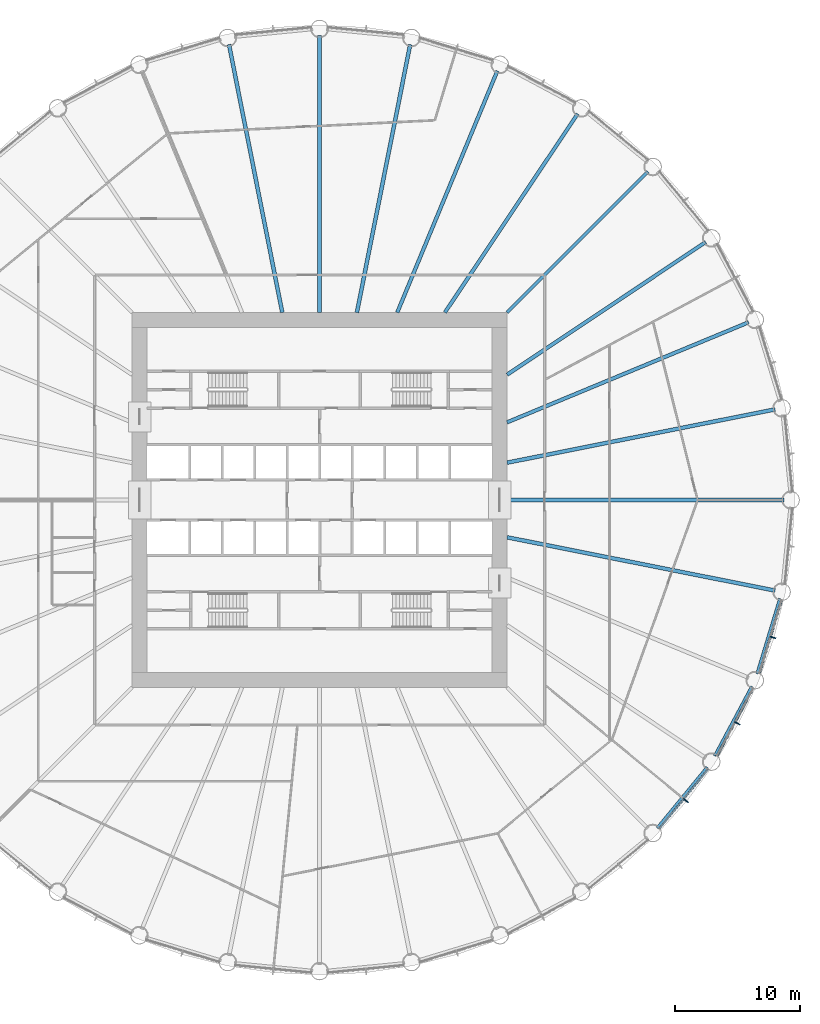
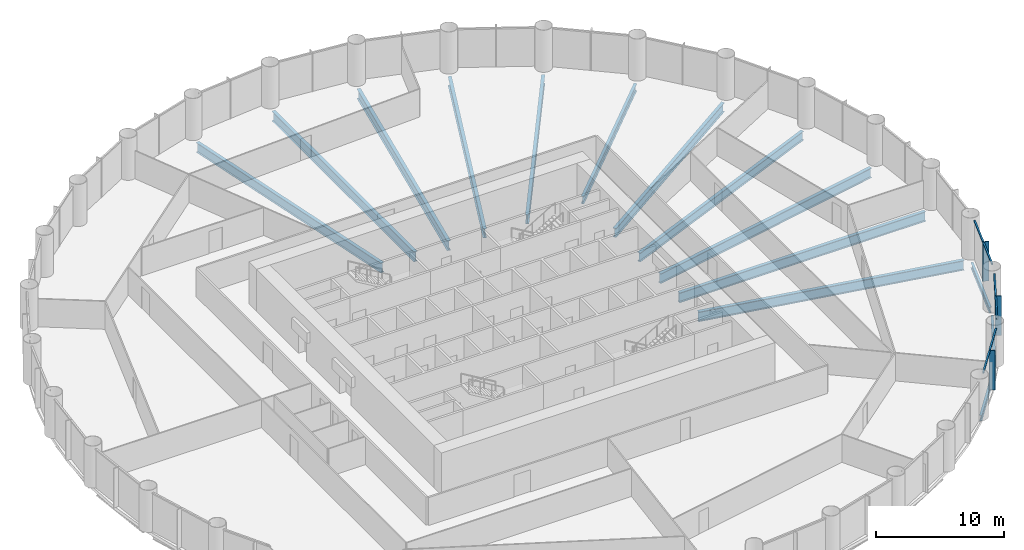
# One storey, part 5 of 14: 14 beams, 9 members, 3 elements without a shape of their own.
"""IFC4 building model written with IfcOpenShell, lengths in metres."""

from ifc_helpers import new_model, si_unit, direction, frame, origin, origin_2d, place, context, subcontext, project, spatial, rectangle, i_section, extrude, material, material_profile, profile_set, type_object, element, aggregate, save


model = new_model("IFC4")

# Units and contexts
model_context = context("Model", 3, precision=1e-05, world=origin(), true_north=direction((0.0, 1.0)))
body_context = subcontext(model_context, "Body", "Model", "MODEL_VIEW")
ifc_project = project(units=[si_unit("LENGTHUNIT", "METRE"), si_unit("AREAUNIT", "SQUARE_METRE"), si_unit("VOLUMEUNIT", "CUBIC_METRE"), si_unit("PLANEANGLEUNIT", "RADIAN"), si_unit("MASSUNIT", "GRAM", prefix="KILO")], contexts=[model_context])

# Site, building, storey
site_placement = place(None, origin())
site = spatial("IfcSite", under=ifc_project, at=site_placement, CompositionType="ELEMENT")
building_placement = place(site_placement, origin())
building = spatial("IfcBuilding", under=site, at=building_placement, Name="Corvane Civic Tower", CompositionType="ELEMENT")
storey_placement = place(building_placement, frame((0.0, 0.0, 81.0)))
storey = spatial("IfcBuildingStorey", under=building, at=storey_placement, Name="L18", CompositionType="ELEMENT", Elevation=81.0)

# Beams
ifc_material_1 = material(Name="Steel ASTM A992 Gr 50", Category="steel")
ifc_material_profile_1 = material_profile(ifc_material_1, i_section(OverallWidth=0.209228515625, OverallDepth=0.533447265625, WebThickness=0.01025390625, FlangeThickness=0.015625, at=origin_2d()), Name="W21X62")
ifc_profile_set_1 = profile_set([ifc_material_profile_1], Name="Steel ASTM A992 Gr 50")
beam_type_1 = type_object("IfcBeamType", Name="EDGE BEAM W21X62", PredefinedType="BEAM", material=ifc_profile_set_1)
for number, where, z_axis, x_axis, name in (
    (1, (36.81591796875, -7.88134765625, -0.566650390625), (-0.290273452184, -0.956943740748, 0.0), (0.956943740748, -0.290273452184, 0.0), "BM-L18-E10"),
    (2, (34.571044921875, -14.912353515625, -0.566650390625), (-0.471405897311, -0.881916367906, 0.0), (0.881916367906, -0.471405897311, 0.0), "BM-L18-E11"),
):
    element("IfcBeam", number, at=place(storey_placement, frame(where, z_axis=z_axis, x_axis=x_axis)), inside=storey, type_object=beam_type_1, Name=name, PredefinedType="BEAM", context=body_context, shape_type="SweptSolid", body=[
        extrude(i_section(OverallWidth=0.209228515625, OverallDepth=0.533447265625, WebThickness=0.01025390625, FlangeThickness=0.015625, at=origin_2d()), origin(), (0.0, 0.0, 1.0), 6.290283203125),
    ])
beam_1_placement = place(storey_placement, frame((30.99755859375, -21.3701171875, -0.566650390625), z_axis=(-0.634386787141, -0.773015785286, 0.0), x_axis=(0.773015785286, -0.634386787141, 0.0)))
element("IfcBeam", 3, at=beam_1_placement, inside=storey, type_object=beam_type_1, Name="BM-L18-E12", PredefinedType="BEAM", context=body_context, shape_type="SweptSolid", body=[
    extrude(i_section(OverallWidth=0.209228515625, OverallDepth=0.533447265625, WebThickness=0.01025390625, FlangeThickness=0.015625, at=origin_2d()), origin(), (0.0, 0.0, 1.0), 6.290771484375),
])
ifc_material_2 = material(Name="Steel ASTM A992 Gr 50", Category="steel")
ifc_material_profile_2 = material_profile(ifc_material_2, i_section(OverallWidth=0.256591796875, OverallDepth=0.693359375, WebThickness=0.014404296875, FlangeThickness=0.023681640625, at=origin_2d()), Name="W27X114")
ifc_profile_set_2 = profile_set([ifc_material_profile_2], Name="Steel ASTM A992 Gr 50")
beam_type_2 = type_object("IfcBeamType", Name="FLOOR GIRDER W27X114", PredefinedType="BEAM", material=ifc_profile_set_2)
beam_2_placement = place(storey_placement, frame((15.0, 15.0, -0.646728515625), z_axis=(0.707106781187, 0.707106781187, 0.0), x_axis=(-0.707106781187, 0.707106781187, 0.0)))
element("IfcBeam", 4, at=beam_2_placement, inside=storey, type_object=beam_type_2, Name="BM-L18-G05", PredefinedType="BEAM", context=body_context, shape_type="SweptSolid", body=[
    extrude(i_section(OverallWidth=0.256591796875, OverallDepth=0.693359375, WebThickness=0.014404296875, FlangeThickness=0.023681640625, at=origin_2d()), origin(), (0.0, 0.0, 1.0), 15.936767578125),
])
ifc_material_3 = material(Name="Steel ASTM A992 Gr 50", Category="steel")
ifc_material_profile_3 = material_profile(ifc_material_3, i_section(OverallWidth=0.2919921875, OverallDepth=0.8583984375, WebThickness=0.01708984375, FlangeThickness=0.031005859375, at=origin_2d()), Name="W33X169")
ifc_profile_set_3 = profile_set([ifc_material_profile_3], Name="Steel ASTM A992 Gr 50")
beam_type_3 = type_object("IfcBeamType", Name="FLOOR GIRDER W33X169", PredefinedType="BEAM", material=ifc_profile_set_3)
beam_3_placement = place(storey_placement, frame((6.213134765625, 15.0, -0.729248046875), z_axis=(0.382692360381, 0.923875834355, 0.0), x_axis=(-0.923875834355, 0.382692360381, 0.0)))
element("IfcBeam", 5, at=beam_3_placement, inside=storey, type_object=beam_type_3, Name="BM-L18-G03", PredefinedType="BEAM", context=body_context, shape_type="SweptSolid", body=[
    extrude(i_section(OverallWidth=0.2919921875, OverallDepth=0.8583984375, WebThickness=0.01708984375, FlangeThickness=0.031005859375, at=origin_2d()), origin(), (0.0, 0.0, 1.0), 20.9140625),
])
for number, where, z_axis, x_axis, name in (
    (6, (10.022705078125, 15.0, -0.729248046875), (0.555566681385, 0.831471985418, 0.0), (-0.831471985418, 0.555566681385, 0.0), "BM-L18-G04"),
    (7, (15.0, 10.022705078125, -0.729248046875), (0.831471985418, 0.555566681385, 0.0), (-0.555566681385, 0.831471985418, 0.0), "BM-L18-G06"),
):
    element("IfcBeam", number, at=place(storey_placement, frame(where, z_axis=z_axis, x_axis=x_axis)), inside=storey, type_object=beam_type_3, Name=name, PredefinedType="BEAM", context=body_context, shape_type="SweptSolid", body=[
        extrude(i_section(OverallWidth=0.2919921875, OverallDepth=0.8583984375, WebThickness=0.01708984375, FlangeThickness=0.031005859375, at=origin_2d()), origin(), (0.0, 0.0, 1.0), 19.109619140625),
    ])
beam_4_placement = place(storey_placement, frame((15.0, 6.213134765625, -0.729248046875), z_axis=(0.923875834355, 0.382692360381, 0.0), x_axis=(-0.382692360381, 0.923875834355, 0.0)))
element("IfcBeam", 8, at=beam_4_placement, inside=storey, type_object=beam_type_3, Name="BM-L18-G07", PredefinedType="BEAM", context=body_context, shape_type="SweptSolid", body=[
    extrude(i_section(OverallWidth=0.2919921875, OverallDepth=0.8583984375, WebThickness=0.01708984375, FlangeThickness=0.031005859375, at=origin_2d()), origin(), (0.0, 0.0, 1.0), 20.9140625),
])
ifc_material_4 = material(Name="Steel ASTM A992 Gr 50", Category="steel")
ifc_material_profile_4 = material_profile(ifc_material_4, i_section(OverallWidth=0.307373046875, OverallDepth=0.927001953125, WebThickness=0.01953125, FlangeThickness=0.031982421875, at=origin_2d()), Name="W36X194")
ifc_profile_set_4 = profile_set([ifc_material_profile_4], Name="Steel ASTM A992 Gr 50")
beam_type_4 = type_object("IfcBeamType", Name="FLOOR GIRDER W36X194", PredefinedType="BEAM", material=ifc_profile_set_4)
beam_5_placement = place(storey_placement, frame((0.0, 15.0, -0.763671875), z_axis=(0.0, 1.0, 0.0), x_axis=(-1.0, 0.0, 0.0)))
element("IfcBeam", 9, at=beam_5_placement, inside=storey, type_object=beam_type_4, Name="BM-L18-G01", PredefinedType="BEAM", context=body_context, shape_type="SweptSolid", body=[
    extrude(i_section(OverallWidth=0.307373046875, OverallDepth=0.927001953125, WebThickness=0.01953125, FlangeThickness=0.031982421875, at=origin_2d()), origin(), (0.0, 0.0, 1.0), 22.14990234375),
])
for number, where, z_axis, x_axis, name in (
    (10, (2.983642578125, 15.0, -0.763671875), (0.195089219638, 0.980785499679, 0.0), (-0.980785499679, 0.195089219638, 0.0), "BM-L18-G02"),
    (11, (15.0, 2.983642578125, -0.763671875), (0.980785499679, 0.195089219638, 0.0), (-0.195089219638, 0.980785499679, 0.0), "BM-L18-G08"),
):
    element("IfcBeam", number, at=place(storey_placement, frame(where, z_axis=z_axis, x_axis=x_axis)), inside=storey, type_object=beam_type_4, Name=name, PredefinedType="BEAM", context=body_context, shape_type="SweptSolid", body=[
        extrude(i_section(OverallWidth=0.307373046875, OverallDepth=0.927001953125, WebThickness=0.01953125, FlangeThickness=0.031982421875, at=origin_2d()), origin(), (0.0, 0.0, 1.0), 21.856201171875),
    ])
beam_6_placement = place(storey_placement, frame((15.0, 0.0, -0.763671875), z_axis=(1.0, 0.0, 0.0), x_axis=(0.0, 1.0, 0.0)))
element("IfcBeam", 12, at=beam_6_placement, inside=storey, type_object=beam_type_4, Name="BM-L18-G09", PredefinedType="BEAM", context=body_context, shape_type="SweptSolid", body=[
    extrude(i_section(OverallWidth=0.307373046875, OverallDepth=0.927001953125, WebThickness=0.01953125, FlangeThickness=0.031982421875, at=origin_2d()), origin(), (0.0, 0.0, 1.0), 22.14990234375),
])
for number, where, z_axis, x_axis, name in (
    (13, (15.0, -2.983642578125, -0.763671875), (0.980785499679, -0.195089219638, 0.0), (0.195089219638, 0.980785499679, 0.0), "BM-L18-G10"),
    (14, (-2.983642578125, 15.0, -0.763671875), (-0.195089219638, 0.980785499679, 0.0), (-0.980785499679, -0.195089219638, 0.0), "BM-L18-G32"),
):
    element("IfcBeam", number, at=place(storey_placement, frame(where, z_axis=z_axis, x_axis=x_axis)), inside=storey, type_object=beam_type_4, Name=name, PredefinedType="BEAM", context=body_context, shape_type="SweptSolid", body=[
        extrude(i_section(OverallWidth=0.307373046875, OverallDepth=0.927001953125, WebThickness=0.01953125, FlangeThickness=0.031982421875, at=origin_2d()), origin(), (0.0, 0.0, 1.0), 21.856201171875),
    ])

# Curtain wall, members
ifc_material_5 = material(Name="Anodised aluminium bronze", Category="aluminium")
curtain_wall_type = type_object("IfcCurtainWallType", Name="TOWER CW-T1 STICK CURTAIN WALL", PredefinedType="NOTDEFINED", material=ifc_material_5)
curtain_wall_1_placement = place(storey_placement, origin())
curtain_wall_1 = element("IfcCurtainWall", 15, at=curtain_wall_1_placement, inside=storey, type_object=curtain_wall_type, Name="Curtain wall CW-T1 L18 bay 10", PredefinedType="NOTDEFINED")
ifc_material_6 = material(Name="Anodised aluminium bronze", Category="aluminium")
ifc_material_profile_5 = material_profile(ifc_material_6, rectangle(XDim=0.139892578125, YDim=0.1201171875, at=origin_2d()), Name="TOWER CW-T1 TRANSOM 140x120")
ifc_profile_set_5 = profile_set([ifc_material_profile_5], Name="Anodised aluminium bronze")
member_type_1 = type_object("IfcMemberType", Name="TOWER CW-T1 TRANSOM 140x120", PredefinedType="USERDEFINED", material=ifc_profile_set_5)
member_1_placement = place(storey_placement, frame((36.959228515625, -8.02587890625, 3.68994140625), z_axis=(-0.290279914268, -0.956941780555, 0.0), x_axis=(0.956941780555, -0.290279914268, 0.0)))
member_1 = element("IfcMember", 16, at=member_1_placement, type_object=member_type_1, Name="Transom CW-T1 L18 10.1", ObjectType="TRANSOM", PredefinedType="USERDEFINED", context=body_context, shape_type="SweptSolid", body=[
    extrude(rectangle(XDim=0.139892578125, YDim=0.1201171875, at=origin_2d()), origin(), (0.0, 0.0, 1.0), 3.008544921875),
])
member_2_placement = place(storey_placement, frame((36.062744140625, -10.9814453125, 3.68994140625), z_axis=(-0.290279914268, -0.956941780555, 0.0), x_axis=(0.956941780555, -0.290279914268, 0.0)))
member_2 = element("IfcMember", 17, at=member_2_placement, type_object=member_type_1, Name="Transom CW-T1 L18 10.2", ObjectType="TRANSOM", PredefinedType="USERDEFINED", context=body_context, shape_type="SweptSolid", body=[
    extrude(rectangle(XDim=0.139892578125, YDim=0.1201171875, at=origin_2d()), origin(), (0.0, 0.0, 1.0), 3.008544921875),
])

curtain_wall_2_placement = place(storey_placement, origin())
curtain_wall_2 = element("IfcCurtainWall", 18, at=curtain_wall_2_placement, inside=storey, type_object=curtain_wall_type, Name="Curtain wall CW-T1 L18 bay 11", PredefinedType="NOTDEFINED")
member_3_placement = place(storey_placement, frame((34.683349609375, -15.08203125, 3.68994140625), z_axis=(-0.471392506424, -0.881923525532, 0.0), x_axis=(0.881923525532, -0.471392506424, 0.0)))
member_3 = element("IfcMember", 19, at=member_3_placement, type_object=member_type_1, Name="Transom CW-T1 L18 11.1", ObjectType="TRANSOM", PredefinedType="USERDEFINED", context=body_context, shape_type="SweptSolid", body=[
    extrude(rectangle(XDim=0.139892578125, YDim=0.1201171875, at=origin_2d()), origin(), (0.0, 0.0, 1.0), 3.008544921875),
])
member_4_placement = place(storey_placement, frame((33.2275390625, -17.805908203125, 3.68994140625), z_axis=(-0.471392506424, -0.881923525532, 0.0), x_axis=(0.881923525532, -0.471392506424, 0.0)))
member_4 = element("IfcMember", 20, at=member_4_placement, type_object=member_type_1, Name="Transom CW-T1 L18 11.2", ObjectType="TRANSOM", PredefinedType="USERDEFINED", context=body_context, shape_type="SweptSolid", body=[
    extrude(rectangle(XDim=0.139892578125, YDim=0.1201171875, at=origin_2d()), origin(), (0.0, 0.0, 1.0), 3.008544921875),
])

curtain_wall_3_placement = place(storey_placement, origin())
curtain_wall_3 = element("IfcCurtainWall", 21, at=curtain_wall_3_placement, inside=storey, type_object=curtain_wall_type, Name="Curtain wall CW-T1 L18 bay 12", PredefinedType="NOTDEFINED")
member_5_placement = place(storey_placement, frame((31.074462890625, -21.55859375, 3.68994140625), z_axis=(-0.634355161466, -0.773041738279, 0.0), x_axis=(0.773041738279, -0.634355161466, 0.0)))
member_5 = element("IfcMember", 22, at=member_5_placement, type_object=member_type_1, Name="Transom CW-T1 L18 12.1", ObjectType="TRANSOM", PredefinedType="USERDEFINED", context=body_context, shape_type="SweptSolid", body=[
    extrude(rectangle(XDim=0.139892578125, YDim=0.1201171875, at=origin_2d()), origin(), (0.0, 0.0, 1.0), 3.008544921875),
])
member_6_placement = place(storey_placement, frame((29.115234375, -23.946044921875, 3.68994140625), z_axis=(-0.634403652865, -0.773001943873, 0.0), x_axis=(0.773001943873, -0.634403652865, 0.0)))
member_6 = element("IfcMember", 23, at=member_6_placement, type_object=member_type_1, Name="Transom CW-T1 L18 12.2", ObjectType="TRANSOM", PredefinedType="USERDEFINED", context=body_context, shape_type="SweptSolid", body=[
    extrude(rectangle(XDim=0.139892578125, YDim=0.1201171875, at=origin_2d()), origin(), (0.0, 0.0, 1.0), 3.008544921875),
])

# Member
ifc_material_7 = material(Name="Anodised aluminium bronze", Category="aluminium")
ifc_material_profile_6 = material_profile(ifc_material_7, rectangle(XDim=0.080078125, YDim=0.5, at=origin_2d()), Name="TOWER FIN MULLION 80x500 BRONZE")
ifc_profile_set_6 = profile_set([ifc_material_profile_6], Name="Anodised aluminium bronze")
member_type_2 = type_object("IfcMemberType", Name="TOWER FIN MULLION 80x500 BRONZE", PredefinedType="MULLION", material=ifc_profile_set_6)
member_7_placement = place(storey_placement, frame((36.265625, -11.001220703125, 0.0), z_axis=(0.0, 0.0, 1.0), x_axis=(-0.290278397654, -0.956942240606, 0.0)))
member_7 = element("IfcMember", 24, at=member_7_placement, type_object=member_type_2, Name="Fin mullion 10 L18", PredefinedType="MULLION", context=body_context, shape_type="SweptSolid", body=[
    extrude(rectangle(XDim=0.080078125, YDim=0.5, at=origin_2d()), origin(), (0.0, 0.0, 1.0), 3.75),
])

aggregate(curtain_wall_1, [member_7, member_1, member_2])

member_8_placement = place(storey_placement, frame((33.422607421875, -17.86474609375, 0.0), z_axis=(0.0, 0.0, 1.0), x_axis=(-0.471403725359, -0.881917528864, 0.0)))
member_8 = element("IfcMember", 25, at=member_8_placement, type_object=member_type_2, Name="Fin mullion 11 L18", PredefinedType="MULLION", context=body_context, shape_type="SweptSolid", body=[
    extrude(rectangle(XDim=0.080078125, YDim=0.5, at=origin_2d()), origin(), (0.0, 0.0, 1.0), 3.75),
])

aggregate(curtain_wall_2, [member_8, member_3, member_4])

member_9_placement = place(storey_placement, frame((29.295166015625, -24.0419921875, 0.0), z_axis=(0.0, 0.0, 1.0), x_axis=(-0.634397218569, -0.773007224463, 0.0)))
member_9 = element("IfcMember", 26, at=member_9_placement, type_object=member_type_2, Name="Fin mullion 12 L18", PredefinedType="MULLION", context=body_context, shape_type="SweptSolid", body=[
    extrude(rectangle(XDim=0.080078125, YDim=0.5, at=origin_2d()), origin(), (0.0, 0.0, 1.0), 3.75),
])

aggregate(curtain_wall_3, [member_9, member_5, member_6])

save(model, "model.ifc")
